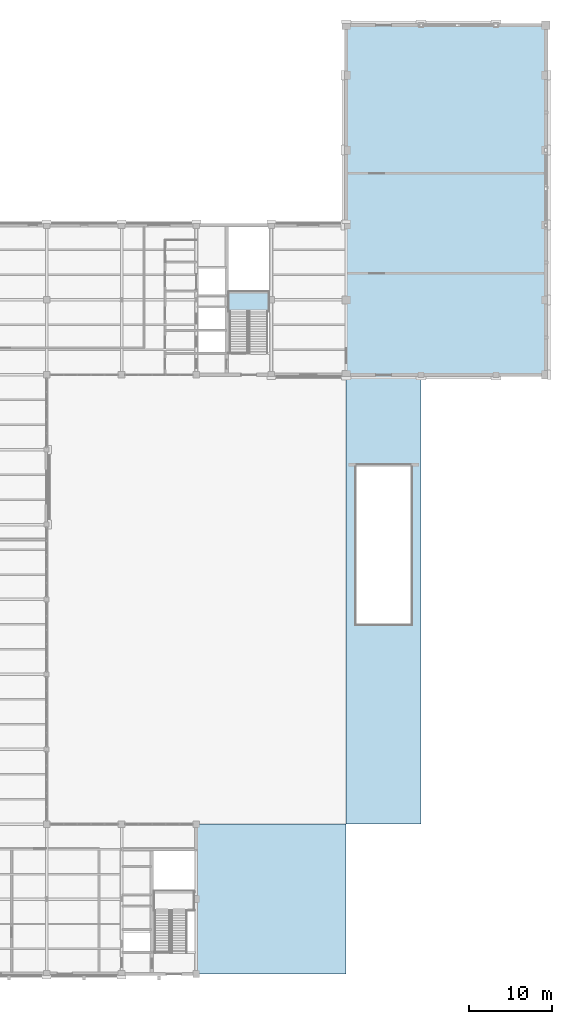
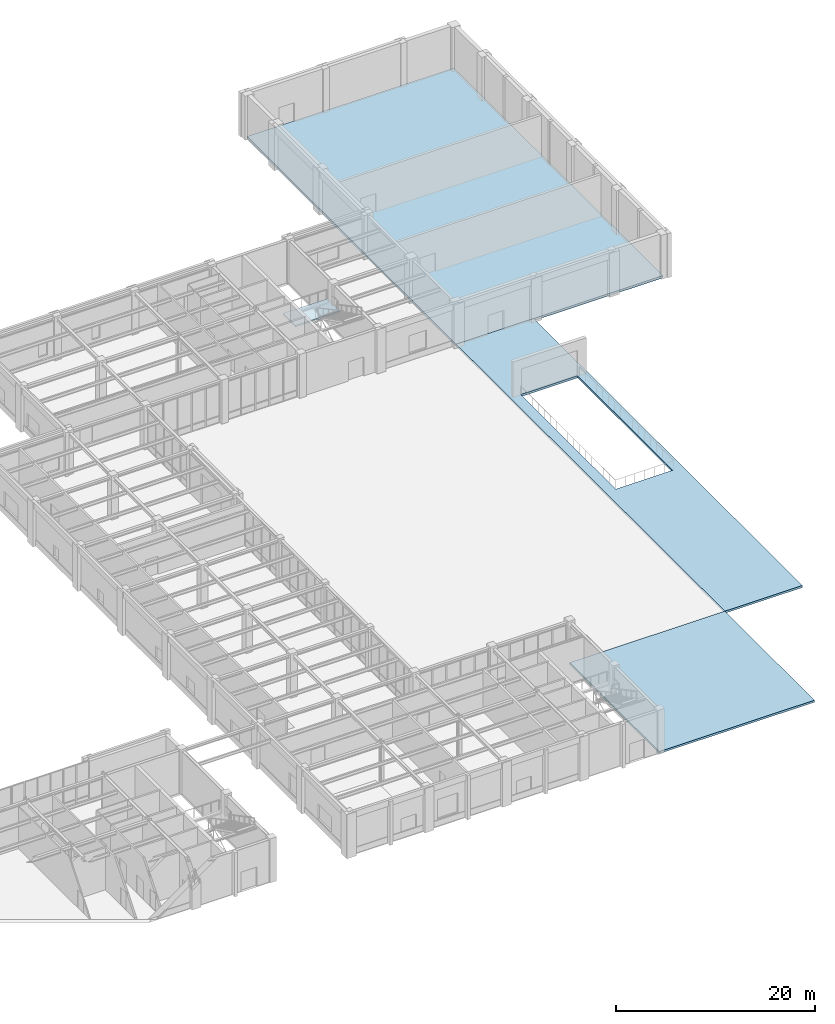
# One storey, part 57 of 77: 4 slabs, 1 element without a shape of its own.
"""IFC4 building model written with IfcOpenShell, lengths in metres."""

from ifc_helpers import new_model, si_unit, direction, frame, origin, place, context, subcontext, project, spatial, polyline, outline, extrude, material, layer, layer_set, type_object, element, aggregate, save


model = new_model("IFC4")

# Units and contexts
model_context = context("Model", 3, precision=1e-05, world=origin(), true_north=direction((0.0, 1.0)))
body_context = subcontext(model_context, "Body", "Model", "MODEL_VIEW")
ifc_project = project(units=[si_unit("LENGTHUNIT", "METRE"), si_unit("AREAUNIT", "SQUARE_METRE"), si_unit("VOLUMEUNIT", "CUBIC_METRE"), si_unit("PLANEANGLEUNIT", "RADIAN"), si_unit("MASSUNIT", "GRAM", prefix="KILO")], contexts=[model_context])

# Site, building, storey
site_placement = place(None, origin())
site = spatial("IfcSite", under=ifc_project, at=site_placement, CompositionType="ELEMENT")
building_placement = place(site_placement, origin())
building = spatial("IfcBuilding", under=site, at=building_placement, Name="Lykobir Media Centre", CompositionType="ELEMENT")
storey_placement = place(building_placement, origin())
storey = spatial("IfcBuildingStorey", under=building, at=storey_placement, Name="L00", CompositionType="ELEMENT", Elevation=0.0)

# Slab
ifc_material_1 = material(Name="Concrete C30/37", Category="concrete")
ifc_layer_1 = layer(ifc_material_1, 0.280029296875, Name="Concrete C30/37")
ifc_layer_set_1 = layer_set([ifc_layer_1], Name="Concrete C30/37")
slab_type_1 = type_object("IfcSlabType", Name="FS-280", PredefinedType="FLOOR", material=ifc_layer_set_1)
slab_1_placement = place(storey_placement, frame((0.0, 0.0, -0.280029296875)))
element("IfcSlab", 1, at=slab_1_placement, inside=storey, type_object=slab_type_1, Name="L00 structural slab 3", PredefinedType="FLOOR", context=body_context, shape_type="SweptSolid", body=[
    extrude(outline(polyline([(168.0, 72.0), (168.0, 114.0), (144.0, 114.0), (144.0, 72.0), (168.0, 72.0)])), origin(), (0.0, 0.0, 1.0), 0.280029296875),
])

# Stair, slab
stair_type = type_object("IfcStairType", Name="ST-HT-540", PredefinedType="HALF_TURN_STAIR", material=ifc_material_1)
stair_placement = place(storey_placement, origin())
stair = element("IfcStair", 2, at=stair_placement, inside=storey, type_object=stair_type, Name="Escape stair ST-4 L00", PredefinedType="HALF_TURN_STAIR")
ifc_layer_2 = layer(ifc_material_1, 0.195068359375, Name="Concrete C30/37")
ifc_layer_set_2 = layer_set([ifc_layer_2], Name="Concrete C30/37")
slab_type_2 = type_object("IfcSlabType", Name="SL-195", PredefinedType="LANDING", material=ifc_layer_set_2)
slab_2_placement = place(storey_placement, frame((0.0, 0.0, 2.5048828125)))
slab_2 = element("IfcSlab", 3, at=slab_2_placement, type_object=slab_type_2, Name="ST-4-L00 landing 1", PredefinedType="LANDING", context=body_context, shape_type="SweptSolid", body=[
    extrude(outline(polyline([(129.72998046875, 79.550048828125), (134.8701171875, 79.550048828125), (134.8701171875, 82.030029296875), (129.72998046875, 82.030029296875), (129.72998046875, 79.550048828125)])), origin(), (0.0, 0.0, 1.0), 0.195068359375),
])
aggregate(stair, [slab_2])

# Slabs
ifc_material_2 = material(Name="Concrete C35/45", Category="concrete")
ifc_layer_3 = layer(ifc_material_2, 0.25, Name="Concrete C35/45")
ifc_layer_set_3 = layer_set([ifc_layer_3], Name="Concrete C35/45")
slab_type_3 = type_object("IfcSlabType", Name="TS-250", PredefinedType="FLOOR", material=ifc_layer_set_3)
slab_3_placement = place(storey_placement, frame((0.0, 0.0, -0.25)))
element("IfcSlab", 4, at=slab_3_placement, inside=storey, type_object=slab_type_3, Name="L00 South-East Forecourt Deck", PredefinedType="FLOOR", context=body_context, shape_type="SweptSolid", body=[
    extrude(outline(polyline([(144.0, 0.0), (144.0, 18.0), (126.0, 18.0), (126.0, 0.0), (144.0, 0.0)])), origin(), (0.0, 0.0, 1.0), 0.25),
])
slab_4_placement = place(storey_placement, frame((0.0, 0.0, -0.25)))
element("IfcSlab", 5, at=slab_4_placement, inside=storey, type_object=slab_type_3, Name="L00 Service Driveway Apron", PredefinedType="FLOOR", context=body_context, shape_type="SweptSolid", body=[
    extrude(outline(polyline([(153.0, 18.0), (153.0, 72.0), (144.0, 72.0), (144.0, 18.0), (153.0, 18.0)]), holes=[polyline([(151.800048828125, 42.0), (145.199951171875, 42.0), (145.199951171875, 61.080078125), (151.800048828125, 61.080078125), (151.800048828125, 42.0)])]), origin(), (0.0, 0.0, 1.0), 0.25),
])

save(model, "model.ifc")
